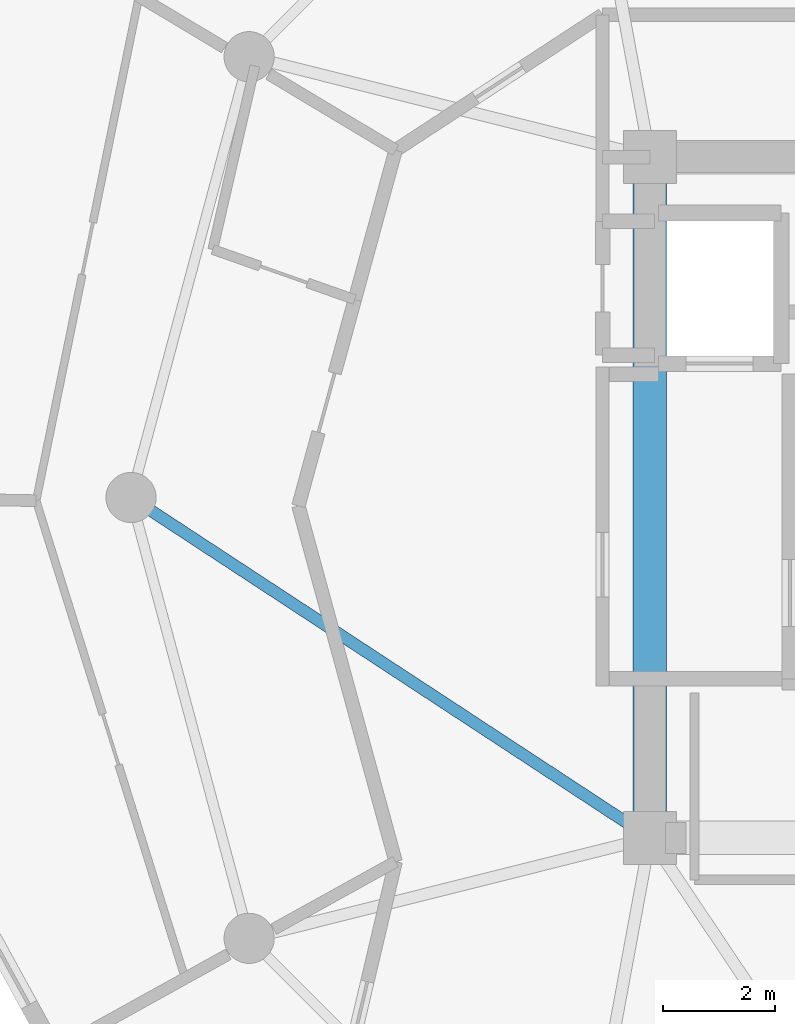
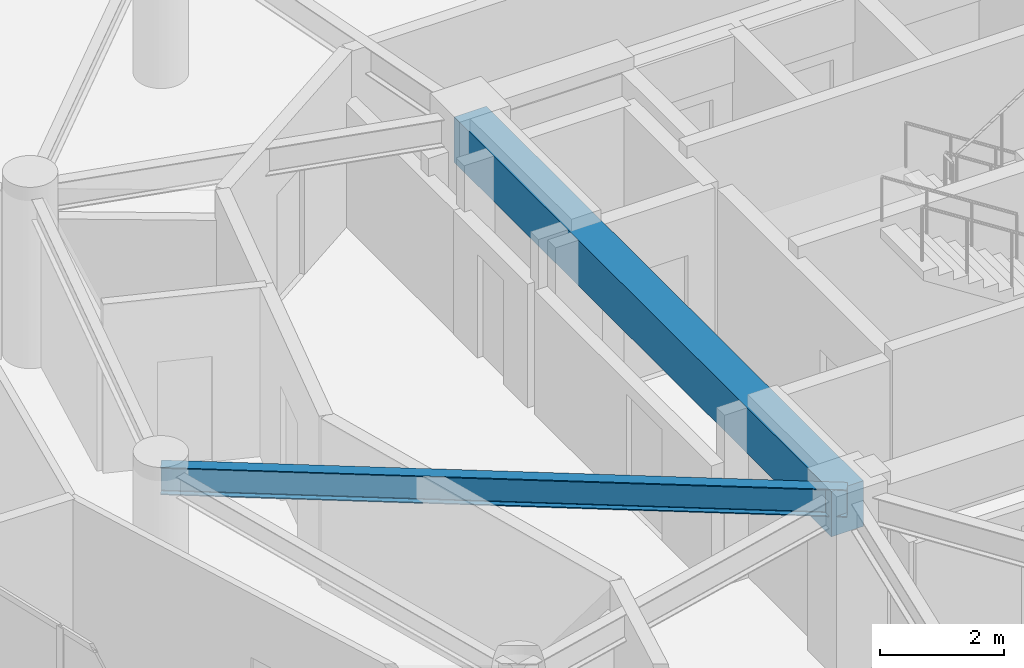
# One storey, part 8 of 21: 2 beams.
"""IFC4 building model written with IfcOpenShell, lengths in metres."""

from ifc_helpers import new_model, si_unit, direction, frame, origin, origin_2d, place, context, subcontext, project, spatial, rectangle, i_section, extrude, material, material_profile, profile_set, type_object, element, save


model = new_model("IFC4")

# Units and contexts
model_context = context("Model", 3, precision=1e-05, world=origin(), true_north=direction((0.0, 1.0)))
body_context = subcontext(model_context, "Body", "Model", "MODEL_VIEW")
ifc_project = project(units=[si_unit("LENGTHUNIT", "METRE"), si_unit("AREAUNIT", "SQUARE_METRE"), si_unit("VOLUMEUNIT", "CUBIC_METRE"), si_unit("PLANEANGLEUNIT", "RADIAN"), si_unit("MASSUNIT", "GRAM", prefix="KILO")], contexts=[model_context])

# Site, building, storey
site_placement = place(None, origin())
site = spatial("IfcSite", under=ifc_project, at=site_placement, CompositionType="ELEMENT")
building_placement = place(site_placement, origin())
building = spatial("IfcBuilding", under=site, at=building_placement, Name="Solvirekh Grand Hotel", CompositionType="ELEMENT")
storey_placement = place(building_placement, frame((0.0, 0.0, 216.39990234375)))
storey = spatial("IfcBuildingStorey", under=building, at=storey_placement, Name="L56", CompositionType="ELEMENT", Elevation=216.39990234375)

# Beams
ifc_material_1 = material(Name="Concrete C50/60", Category="concrete")
ifc_material_profile_1 = material_profile(ifc_material_1, rectangle(XDim=0.60009765625, YDim=0.89990234375, at=origin_2d()), Name="RC BEAM 600X900")
ifc_profile_set_1 = profile_set([ifc_material_profile_1], Name="Concrete C50/60")
beam_type_1 = type_object("IfcBeamType", Name="Beam_Core_RC900", PredefinedType="BEAM", material=ifc_profile_set_1)
beam_1_placement = place(storey_placement, frame((-6.5, 6.10009765625, 2.91015625), z_axis=(0.0, -1.0, 0.0), x_axis=(1.0, 0.0, 0.0)))
element("IfcBeam", 1, at=beam_1_placement, inside=storey, type_object=beam_type_1, Name="L56 core coupling ring beam 4", PredefinedType="BEAM", context=body_context, shape_type="SweptSolid", body=[
    extrude(rectangle(XDim=0.60009765625, YDim=0.89990234375, at=origin_2d()), origin(), (0.0, 0.0, 1.0), 12.2001953125),
])
ifc_material_2 = material(Name="Steel S355", Category="steel")
ifc_material_profile_2 = material_profile(ifc_material_2, i_section(OverallWidth=0.2119140625, OverallDepth=0.5439453125, WebThickness=0.011962890625, FlangeThickness=0.01904296875, FilletRadius=0.013916015625, at=origin_2d()), Name="W530X123")
ifc_profile_set_2 = profile_set([ifc_material_profile_2], Name="Steel S355")
beam_type_2 = type_object("IfcBeamType", Name="Beam_Radial_W530H", PredefinedType="BEAM", material=ifc_profile_set_2)
beam_2_placement = place(storey_placement, frame((-6.5, -6.10009765625, 3.088134765625), z_axis=(-0.836174064962, 0.548464158432, 0.0), x_axis=(-0.548464158432, -0.836174064962, 0.0)))
element("IfcBeam", 2, at=beam_2_placement, inside=storey, type_object=beam_type_2, Name="L56 radial floor beam R07", PredefinedType="BEAM", context=body_context, shape_type="SweptSolid", body=[
    extrude(i_section(OverallWidth=0.2119140625, OverallDepth=0.5439453125, WebThickness=0.011962890625, FlangeThickness=0.01904296875, FilletRadius=0.013916015625, at=origin_2d()), origin(), (0.0, 0.0, 1.0), 11.1220703125),
])

save(model, "model.ifc")
